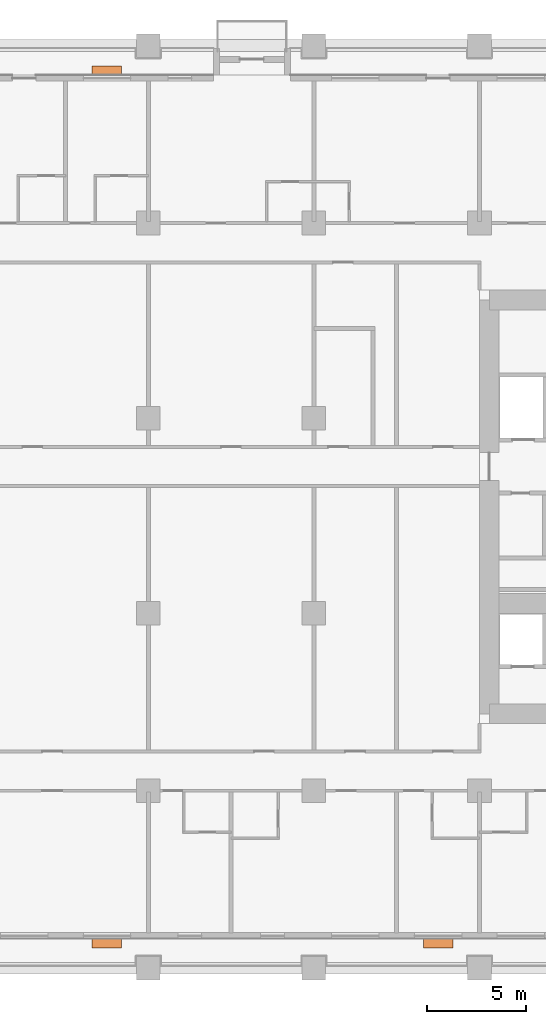
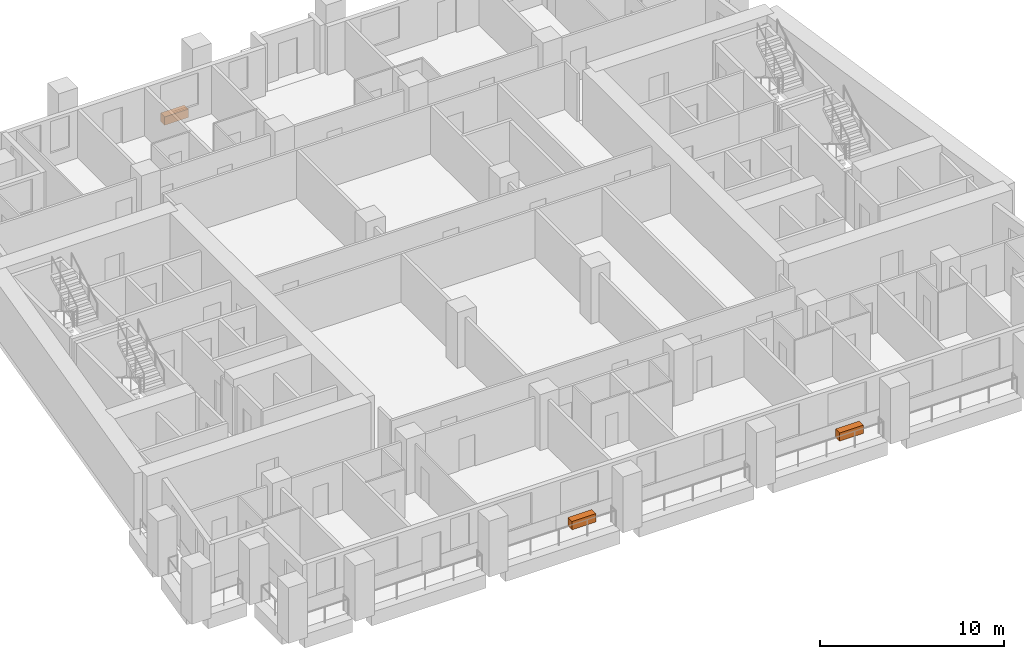
# One storey, part 13 of 13: 3 proxies.
"""IFC4 building model written with IfcOpenShell, lengths in metres."""

from ifc_helpers import new_model, si_unit, direction, frame, origin, origin_2d, place, context, subcontext, project, spatial, rectangle, extrude, element, save


model = new_model("IFC4")

# Units and contexts
model_context = context("Model", 3, precision=1e-05, world=origin(), true_north=direction((0.0, 1.0)))
body_context = subcontext(model_context, "Body", "Model", "MODEL_VIEW")
ifc_project = project(units=[si_unit("LENGTHUNIT", "METRE"), si_unit("AREAUNIT", "SQUARE_METRE"), si_unit("VOLUMEUNIT", "CUBIC_METRE"), si_unit("PLANEANGLEUNIT", "RADIAN"), si_unit("MASSUNIT", "GRAM", prefix="KILO")], contexts=[model_context])

# Site, building, storey
site_placement = place(None, origin())
site = spatial("IfcSite", under=ifc_project, at=site_placement, CompositionType="ELEMENT")
building_placement = place(site_placement, origin())
building = spatial("IfcBuilding", under=site, at=building_placement, Name="Candeia Pilgrim Tower and Theatre", CompositionType="ELEMENT")
storey_placement = place(building_placement, frame((0.0, 0.0, 131.699951171875)))
storey = spatial("IfcBuildingStorey", under=building, at=storey_placement, Name="L31", CompositionType="ELEMENT", Elevation=131.699951171875)

# Proxies
for number, where, z_axis, x_axis, name in (
    (1, (107.10009765625, 99.2548828125, 0.0), (0.0, 0.0, 1.0), (1.0, 0.0, 0.0), "Planter"),
    (2, (123.89990234375, 99.2548828125, 0.0), (0.0, 0.0, 1.0), (1.0, 0.0, 0.0), "Planter"),
    (3, (107.10009765625, 143.544921875, 0.0), (0.0, 0.0, 1.0), (-1.0, 0.0, 0.0), "Planter"),
):
    element("IfcBuildingElementProxy", number, at=place(storey_placement, frame(where, z_axis=z_axis, x_axis=x_axis)), inside=storey, Name=name, ObjectType="PLANTER", PredefinedType="USERDEFINED", context=body_context, shape_type="SweptSolid", body=[
        extrude(rectangle(XDim=1.5, YDim=0.449951171875, at=origin_2d()), origin(), (0.0, 0.0, 1.0), 0.550048828125),
    ])

save(model, "model.ifc")
